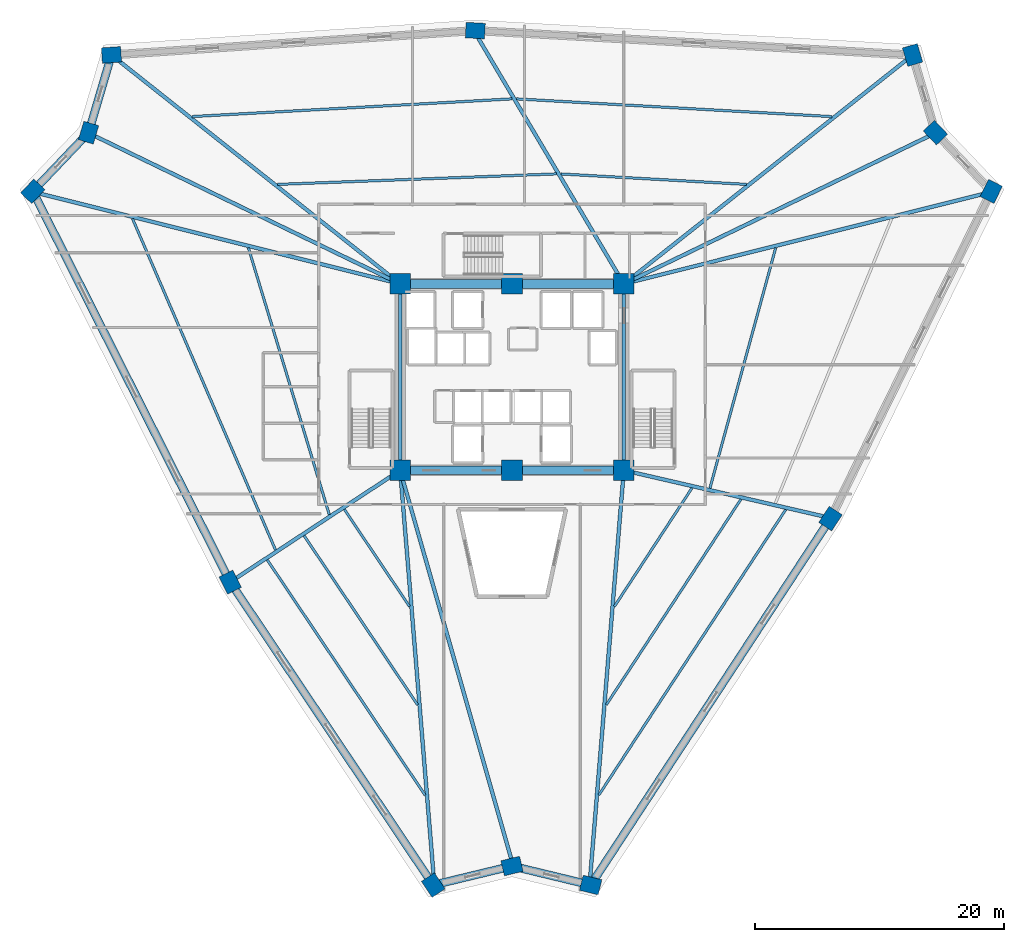
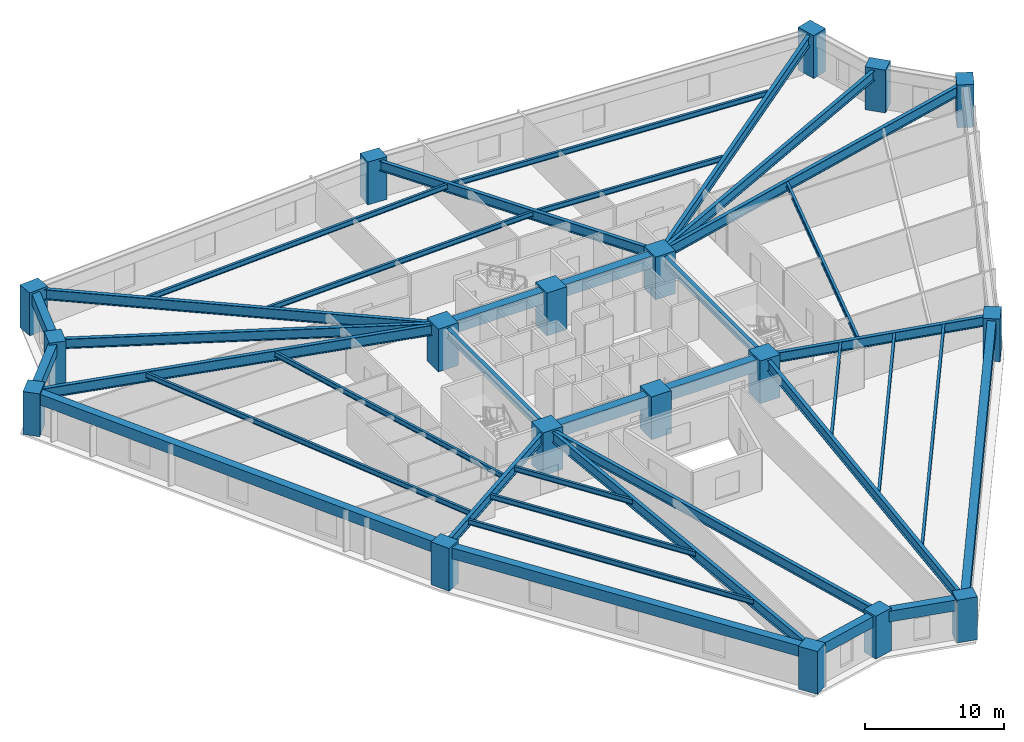
# One storey, part 1 of 9: 38 beams, 18 columns.
"""IFC4 building model written with IfcOpenShell, lengths in metres."""

import ifcopenshell
import ifcopenshell.guid

model = None  # the IFC model being written
_history = None  # IfcOwnerHistory: only IFC2X3 demands one
_inside = {}  # id of a spatial element -> (the spatial element, [elements in it])
_under = {}  # id of a project, library or spatial element -> (it, [spatial elements below it])
_declared = {}  # id of a project -> (the project, [libraries it declares])
_typed = {}  # id of a type object -> (the type object, [elements of that type])
_made_of = {}  # id of a material, layer set ... -> (it, [elements and type objects made of it])


def new_model(schema):
    """Start an empty IFC model of exactly this schema.

    Asked for "IFC4X3", IfcOpenShell would pick the latest addendum, in which some entities
    have other attributes; the version numbers below select the first issue.
    IFC2X3 requires an IfcOwnerHistory on every rooted entity: one is made here for all.
    """
    global model, _history
    if schema == "IFC4X3":
        model = ifcopenshell.file(schema_version=(4, 3, 0, 0))
    else:
        model = ifcopenshell.file(schema=schema)
    _inside.clear()
    _under.clear()
    _declared.clear()
    _typed.clear()
    _made_of.clear()
    _history = None
    if model.schema == "IFC2X3":
        org = make("IfcOrganization", Name="unknown")
        user = make(
            "IfcPersonAndOrganization",
            ThePerson=make("IfcPerson", FamilyName="unknown"),
            TheOrganization=org,
        )
        app = make(
            "IfcApplication",
            ApplicationDeveloper=org,
            Version="unknown",
            ApplicationFullName="unknown",
            ApplicationIdentifier="unknown",
        )
        _history = make(
            "IfcOwnerHistory",
            OwningUser=user,
            OwningApplication=app,
            ChangeAction="ADDED",
            CreationDate=0,
        )
    return model


def make(cls, **values):
    """One entity of the class cls with the attributes given. An attribute that is None is left unset."""
    return model.create_entity(
        cls, **{name: value for name, value in values.items() if value is not None}
    )


def rooted(cls, **values):
    """An entity with a GlobalId (a new one), such as an element, a storey or a relation."""
    return make(cls, GlobalId=ifcopenshell.guid.new(), OwnerHistory=_history, **values)


def si_unit(unit_type, name, prefix=None):
    """IfcSIUnit, for example si_unit("LENGTHUNIT", "METRE", prefix="MILLI")."""
    return make("IfcSIUnit", UnitType=unit_type, Prefix=prefix, Name=name)


def assignment(units):
    """IfcUnitAssignment: the units of a project."""
    return None if units is None else make("IfcUnitAssignment", Units=units)


def point(xyz):
    """IfcCartesianPoint."""
    return None if xyz is None else make("IfcCartesianPoint", Coordinates=xyz)


def direction(xyz):
    """IfcDirection."""
    return None if xyz is None else make("IfcDirection", DirectionRatios=xyz)


def frame(location, z_axis=None, x_axis=None):
    """IfcAxis2Placement3D, a coordinate frame: its origin and axes. An axis left out is left unset."""
    return make(
        "IfcAxis2Placement3D",
        Location=point(location),
        Axis=direction(z_axis),
        RefDirection=direction(x_axis),
    )


def frame_2d(location, x_axis=None):
    """IfcAxis2Placement2D, a coordinate frame in the plane: its origin and x axis."""
    return make(
        "IfcAxis2Placement2D", Location=point(location), RefDirection=direction(x_axis)
    )


def origin():
    """The frame at (0, 0, 0) with its axes left unset."""
    return frame((0.0, 0.0, 0.0))


def origin_2d():
    """The frame at (0, 0) in the plane with its x axis left unset."""
    return frame_2d((0.0, 0.0))


def place(relative_to, where):
    """IfcLocalPlacement: puts the frame where relative to a parent placement (None: the world)."""
    return make(
        "IfcLocalPlacement", PlacementRelTo=relative_to, RelativePlacement=where
    )


def context(
    kind, dimensions, precision=None, world=None, true_north=None, identifier=None
):
    """IfcGeometricRepresentationContext, for example the 3D "Model" context."""
    return make(
        "IfcGeometricRepresentationContext",
        ContextIdentifier=identifier,
        ContextType=kind,
        CoordinateSpaceDimension=dimensions,
        Precision=precision,
        WorldCoordinateSystem=world,
        TrueNorth=true_north,
    )


def subcontext(parent, identifier, kind, view, scale=None):
    """IfcGeometricRepresentationSubContext, for example "Body" below "Model"."""
    return make(
        "IfcGeometricRepresentationSubContext",
        ContextIdentifier=identifier,
        ContextType=kind,
        ParentContext=parent,
        TargetScale=scale,
        TargetView=view,
    )


def project(units=None, contexts=None):
    """IfcProject with its units and contexts."""
    return rooted(
        "IfcProject",
        Name="project",
        RepresentationContexts=contexts,
        UnitsInContext=assignment(units),
    )


def spatial(cls, under=None, at=None, **own):
    """A site, building, storey or space (cls), placed at a placement, below another one or the project."""
    s = rooted(cls, ObjectPlacement=at, **own)
    if under is not None:
        _under.setdefault(under.id(), (under, []))[1].append(s)
    return s


def profile(cls, at=None, kind="AREA", **sizes):
    """A parametric profile (cls). Its sizes go by their IFC names, for example OverallWidth=200.0."""
    return make(cls, ProfileType=kind, Position=at, **sizes)


def rectangle(**sizes):
    """IfcRectangleProfileDef."""
    return profile("IfcRectangleProfileDef", **sizes)


def i_section(**sizes):
    """IfcIShapeProfileDef."""
    return profile("IfcIShapeProfileDef", **sizes)


def extrude(swept, where, along, depth):
    """IfcExtrudedAreaSolid: the profile swept, set in the frame where, extruded along a direction by depth."""
    return make(
        "IfcExtrudedAreaSolid",
        SweptArea=swept,
        Position=where,
        ExtrudedDirection=direction(along),
        Depth=depth,
    )


def shape(context_of_items, identifier, shape_type, items):
    """IfcShapeRepresentation: the items that make up one representation, for example the "Body"."""
    return make(
        "IfcShapeRepresentation",
        ContextOfItems=context_of_items,
        RepresentationIdentifier=identifier,
        RepresentationType=shape_type,
        Items=items,
    )


def source(mapping_origin, context_of_items, identifier, shape_type, items):
    """IfcRepresentationMap: a shape defined once, which mapped items show again and again."""
    return make(
        "IfcRepresentationMap",
        MappingOrigin=mapping_origin,
        MappedRepresentation=shape(context_of_items, identifier, shape_type, items),
    )


def transform(
    local_origin,
    x_axis=None,
    y_axis=None,
    z_axis=None,
    scale=None,
    scale2=None,
    scale3=None,
    uniform=True,
):
    """IfcCartesianTransformationOperator3D, or its non-uniform kind. x_axis, y_axis, z_axis: its Axis1, 2, 3."""
    if uniform:
        return make(
            "IfcCartesianTransformationOperator3D",
            Axis1=direction(x_axis),
            Axis2=direction(y_axis),
            LocalOrigin=point(local_origin),
            Scale=scale,
            Axis3=direction(z_axis),
        )
    return make(
        "IfcCartesianTransformationOperator3DnonUniform",
        Axis1=direction(x_axis),
        Axis2=direction(y_axis),
        LocalOrigin=point(local_origin),
        Scale=scale,
        Axis3=direction(z_axis),
        Scale2=scale2,
        Scale3=scale3,
    )


def mapped(mapping_source, mapping_target):
    """IfcMappedItem: shows the shape of a source again, moved by a transform."""
    return make(
        "IfcMappedItem", MappingSource=mapping_source, MappingTarget=mapping_target
    )


def material(Name=None, Category=None):
    """IfcMaterial."""
    return make("IfcMaterial", Name=Name, Category=Category)


def material_profile(
    of_material, cross_section, Name=None, Category=None, Priority=None
):
    """IfcMaterialProfile: a cross section and its material."""
    return make(
        "IfcMaterialProfile",
        Name=Name,
        Material=of_material,
        Profile=cross_section,
        Priority=Priority,
        Category=Category,
    )


def profile_set(profiles, Name=None, composite=None):
    """IfcMaterialProfileSet."""
    return make(
        "IfcMaterialProfileSet",
        Name=Name,
        MaterialProfiles=profiles,
        CompositeProfile=composite,
    )


def made_of(thing, what):
    """Note that an element or type object is made of a material, layer set ...; save() writes the relation."""
    if what is not None:
        _made_of.setdefault(what.id(), (what, []))[1].append(thing)
    return thing


def type_object(cls, material=None, **own):
    """A type object (cls), such as IfcWallType, which elements share."""
    return made_of(rooted(cls, **own), material)


def element(
    cls,
    number,
    at=None,
    inside=None,
    cuts=None,
    type_object=None,
    material=None,
    context=None,
    identifier="Body",
    shape_type=None,
    held_by="IfcProductDefinitionShape",
    body=None,
    shapes=None,
    **own,
):
    """One element of the class cls, such as IfcWall. Its Tag is "e" and its number.

    at: its placement. inside: the storey or other place that contains it. cuts: it is an
    opening in that element (IfcRelVoidsElement). A single representation is given by context,
    identifier, shape_type and body (its items); several are given by shapes. held_by: the class
    of the entity that holds the representations. save() writes the other relations.
    """
    e = rooted(cls, Tag="e%d" % number, ObjectPlacement=at, **own)
    if body is not None:
        shapes = [shape(context, identifier, shape_type, body)]
    if shapes is not None:
        e.Representation = make(held_by, Representations=shapes)
    if inside is not None:
        _inside.setdefault(inside.id(), (inside, []))[1].append(e)
    if cuts is not None:
        rooted(
            "IfcRelVoidsElement", RelatingBuildingElement=cuts, RelatedOpeningElement=e
        )
    if type_object is not None:
        _typed.setdefault(type_object.id(), (type_object, []))[1].append(e)
    return made_of(e, material)


def aggregate(whole, parts):
    """IfcRelAggregates: a whole, such as a stair, and the parts it consists of."""
    return rooted("IfcRelAggregates", RelatingObject=whole, RelatedObjects=parts)


def save(model, path):
    """Write the relations noted so far, then the file.

    IfcRelAggregates (storeys below a building ...), IfcRelContainedInSpatialStructure (elements
    in a storey), IfcRelDefinesByType, IfcRelAssociatesMaterial and IfcRelDeclares: one each for
    every whole, place, type object, material and project.
    """
    for whole, parts in _under.values():
        aggregate(whole, parts)
    for where, things in _inside.values():
        rooted(
            "IfcRelContainedInSpatialStructure",
            RelatedElements=things,
            RelatingStructure=where,
        )
    for kind, things in _typed.values():
        rooted("IfcRelDefinesByType", RelatedObjects=things, RelatingType=kind)
    for what, things in _made_of.values():
        rooted("IfcRelAssociatesMaterial", RelatedObjects=things, RelatingMaterial=what)
    for by, libraries in _declared.values():
        rooted("IfcRelDeclares", RelatingContext=by, RelatedDefinitions=libraries)
    model.write(path)


model = new_model("IFC4")

# Units and contexts
model_context = context("Model", 3, precision=1e-05, world=origin(), true_north=direction((0.0, 1.0)))
body_context = subcontext(model_context, "Body", "Model", "MODEL_VIEW")
ifc_project = project(units=[si_unit("LENGTHUNIT", "METRE"), si_unit("AREAUNIT", "SQUARE_METRE"), si_unit("VOLUMEUNIT", "CUBIC_METRE"), si_unit("PLANEANGLEUNIT", "RADIAN"), si_unit("MASSUNIT", "GRAM", prefix="KILO")], contexts=[model_context])

# Site, building, storey
site_placement = place(None, origin())
site = spatial("IfcSite", under=ifc_project, at=site_placement, CompositionType="ELEMENT")
building_placement = place(site_placement, origin())
building = spatial("IfcBuilding", under=site, at=building_placement, Name="Liaohun Quay Tower", CompositionType="ELEMENT")
storey_placement = place(building_placement, frame((0.0, 0.0, 59.25)))
storey = spatial("IfcBuildingStorey", under=building, at=storey_placement, Name="L15", CompositionType="ELEMENT", Elevation=59.25)

# Columns
ifc_material_1 = material(Name="Concrete C60", Category="concrete")
ifc_material_profile_1 = material_profile(ifc_material_1, rectangle(XDim=1.64990234375, YDim=1.64990234375, at=origin_2d()), Name="RC1650x1650")
ifc_profile_set_1 = profile_set([ifc_material_profile_1], Name="Concrete C60")
column_type_1 = type_object("IfcColumnType", Name="COL-CC-Z1", PredefinedType="COLUMN", material=ifc_profile_set_1)
shared_shape_1 = source(origin(), body_context, "Body", "SweptSolid", [
    extrude(rectangle(XDim=1.64990234375, YDim=1.64990234375, at=origin_2d()), origin(), (0.0, 0.0, 1.0), 3.75),
])
for number, where, z_axis, x_axis, name in (
    (1, (51.0, 46.5, 0.0), (0.0, 0.0, 1.0), (1.0, 0.0, 0.0), "L15 Core Column CC1"),
    (2, (60.0, 46.5, 0.0), (0.0, 0.0, 1.0), (1.0, 0.0, 0.0), "L15 Core Column CC2"),
    (3, (69.0, 46.5, 0.0), (0.0, 0.0, 1.0), (1.0, 0.0, 0.0), "L15 Core Column CC3"),
    (4, (69.0, 61.5, 0.0), (0.0, 0.0, 1.0), (1.0, 0.0, 0.0), "L15 Core Column CC4"),
    (5, (60.0, 61.5, 0.0), (0.0, 0.0, 1.0), (1.0, 0.0, 0.0), "L15 Core Column CC5"),
    (6, (51.0, 61.5, 0.0), (0.0, 0.0, 1.0), (1.0, 0.0, 0.0), "L15 Core Column CC6"),
):
    element("IfcColumn", number, at=place(storey_placement, frame(where, z_axis=z_axis, x_axis=x_axis)), inside=storey, type_object=column_type_1, Name=name, PredefinedType="COLUMN", context=body_context, shape_type="MappedRepresentation", body=[
        mapped(shared_shape_1, transform((0.0, 0.0, 0.0), x_axis=(1.0, 0.0, 0.0), y_axis=(0.0, 1.0, 0.0), z_axis=(0.0, 0.0, 1.0), scale=1.0)),
    ])
ifc_material_profile_2 = material_profile(ifc_material_1, rectangle(XDim=1.550048828125, YDim=1.25, at=origin_2d()), Name="RC1550x1250")
ifc_profile_set_2 = profile_set([ifc_material_profile_2], Name="Concrete C60")
column_type_2 = type_object("IfcColumnType", Name="COL-PIER-Z1", PredefinedType="COLUMN", material=ifc_profile_set_2)
shared_shape_2 = source(origin(), body_context, "Body", "SweptSolid", [
    extrude(rectangle(XDim=1.550048828125, YDim=1.25, at=origin_2d()), origin(), (0.0, 0.0, 1.0), 3.75),
])
for number, where, z_axis, x_axis, name in (
    (7, (53.660888671875, 13.12109375, 0.0), (0.0, 0.0, 1.0), (-0.556730641675, 0.830693079675, 0.0), "L15 Perimeter Pier PC01"),
    (8, (37.323974609375, 37.4970703125, 0.0), (0.0, 0.0, 1.0), (-0.450877540689, 0.892585818452, 0.0), "L15 Perimeter Pier PC02"),
    (9, (21.43310546875, 68.955078125, 0.0), (0.0, 0.0, 1.0), (0.68936671806, 0.724412539946, 0.0), "L15 Perimeter Pier PC03"),
    (10, (25.923095703125, 73.674072265625, 0.0), (0.0, 0.0, 1.0), (0.282676303383, 0.959215360337, 0.0), "L15 Perimeter Pier PC04"),
    (11, (27.76708984375, 79.928955078125, 0.0), (0.0, 0.0, 1.0), (0.997766630584, 0.066796338919, 0.0), "L15 Perimeter Pier PC05"),
    (12, (57.0458984375, 81.888916015625, 0.0), (0.0, 0.0, 1.0), (-0.998440764182, 0.055821504993, 0.0), "L15 Perimeter Pier PC06"),
    (13, (92.235107421875, 79.923095703125, 0.0), (0.0, 0.0, 1.0), (-0.282676303383, 0.959215360337, 0.0), "L15 Perimeter Pier PC07"),
    (14, (94.076904296875, 73.674072265625, 0.0), (0.0, 0.0, 1.0), (-0.68936671806, 0.724412539946, 0.0), "L15 Perimeter Pier PC08"),
    (15, (98.572021484375, 68.949951171875, 0.0), (0.0, 0.0, 1.0), (0.441035988909, 0.897489418593, 0.0), "L15 Perimeter Pier PC09"),
    (16, (85.6298828125, 42.614013671875, 0.0), (0.0, 0.0, 1.0), (0.547563223493, 0.836764313459, 0.0), "L15 Perimeter Pier PC10"),
    (17, (66.33203125, 13.123046875, 0.0), (0.0, 0.0, 1.0), (-0.972043021443, 0.234802820391, 0.0), "L15 Perimeter Pier PC11"),
    (18, (60.0, 14.652099609375, 0.0), (0.0, 0.0, 1.0), (0.972043021443, 0.234802820391, 0.0), "L15 Perimeter Pier PC12"),
):
    element("IfcColumn", number, at=place(storey_placement, frame(where, z_axis=z_axis, x_axis=x_axis)), inside=storey, type_object=column_type_2, Name=name, PredefinedType="COLUMN", context=body_context, shape_type="MappedRepresentation", body=[
        mapped(shared_shape_2, transform((0.0, 0.0, 0.0), x_axis=(1.0, 0.0, 0.0), y_axis=(0.0, 1.0, 0.0), z_axis=(0.0, 0.0, 1.0), scale=1.0)),
    ])

# Beams
ifc_material_profile_3 = material_profile(ifc_material_1, rectangle(XDim=0.699951171875, YDim=1.050048828125, at=origin_2d()), Name="RC700x1050")
ifc_profile_set_3 = profile_set([ifc_material_profile_3], Name="Concrete C60")
beam_type_1 = type_object("IfcBeamType", Name="BM-CPL-1", PredefinedType="LINTEL", material=ifc_profile_set_3)
shared_shape_3 = source(origin(), body_context, "Body", "SweptSolid", [
    extrude(rectangle(XDim=0.699951171875, YDim=1.050048828125, at=origin_2d()), origin(), (0.0, 0.0, 1.0), 9.0),
])
for number, where, z_axis, x_axis, name in (
    (19, (51.0, 46.5, 3.044921875), (1.0, 0.0, 0.0), (0.0, 1.0, 0.0), "L15 Core Coupling/Ring Beam CC1-CC2"),
    (20, (60.0, 46.5, 3.044921875), (1.0, 0.0, 0.0), (0.0, 1.0, 0.0), "L15 Core Coupling/Ring Beam CC2-CC3"),
    (21, (69.0, 61.5, 3.044921875), (-1.0, 0.0, 0.0), (0.0, -1.0, 0.0), "L15 Core Coupling/Ring Beam CC4-CC5"),
    (22, (60.0, 61.5, 3.044921875), (-1.0, 0.0, 0.0), (0.0, -1.0, 0.0), "L15 Core Coupling/Ring Beam CC5-CC6"),
):
    element("IfcBeam", number, at=place(storey_placement, frame(where, z_axis=z_axis, x_axis=x_axis)), inside=storey, type_object=beam_type_1, Name=name, PredefinedType="LINTEL", context=body_context, shape_type="MappedRepresentation", body=[
        mapped(shared_shape_3, transform((0.0, 0.0, 0.0), x_axis=(1.0, 0.0, 0.0), y_axis=(0.0, 1.0, 0.0), z_axis=(0.0, 0.0, 1.0), scale=1.0)),
    ])
ifc_material_2 = material(Name="Steel Q355D", Category="steel")
ifc_material_profile_4 = material_profile(ifc_material_2, i_section(OverallWidth=0.300048828125, OverallDepth=0.800048828125, WebThickness=0.013916015625, FlangeThickness=0.02587890625, at=origin_2d()), Name="HN800x300x14x26")
ifc_profile_set_4 = profile_set([ifc_material_profile_4], Name="Steel Q355D")
beam_type_2 = type_object("IfcBeamType", Name="BM-RAD-M1", PredefinedType="BEAM", material=ifc_profile_set_4)
shared_shape_4 = source(origin(), body_context, "Body", "SweptSolid", [
    extrude(i_section(OverallWidth=0.300048828125, OverallDepth=0.800048828125, WebThickness=0.013916015625, FlangeThickness=0.02587890625, at=origin_2d()), origin(), (0.0, 0.0, 1.0), 15.0),
])
for number, where, z_axis, x_axis, name in (
    (23, (69.0, 46.5, 3.169921875), (0.0, 1.0, 0.0), (-1.0, 0.0, 0.0), "L15 Core Coupling/Ring Beam CC3-CC4"),
    (24, (51.0, 61.5, 3.169921875), (0.0, -1.0, 0.0), (1.0, 0.0, 0.0), "L15 Core Coupling/Ring Beam CC6-CC1"),
):
    element("IfcBeam", number, at=place(storey_placement, frame(where, z_axis=z_axis, x_axis=x_axis)), inside=storey, type_object=beam_type_2, Name=name, PredefinedType="BEAM", context=body_context, shape_type="MappedRepresentation", body=[
        mapped(shared_shape_4, transform((0.0, 0.0, 0.0), x_axis=(1.0, 0.0, 0.0), y_axis=(0.0, 1.0, 0.0), z_axis=(0.0, 0.0, 1.0), scale=1.0)),
    ])
ifc_material_3 = material(Name="Precast concrete C55", Category="concrete")
ifc_material_profile_5 = material_profile(ifc_material_3, rectangle(XDim=0.64990234375, YDim=0.949951171875, at=origin_2d()), Name="RC650x950")
ifc_profile_set_5 = profile_set([ifc_material_profile_5], Name="Precast concrete C55")
beam_type_3 = type_object("IfcBeamType", Name="BM-SPD-Z1", PredefinedType="SPANDREL", material=ifc_profile_set_5)
shared_shape_5 = source(origin(), body_context, "Body", "SweptSolid", [
    extrude(rectangle(XDim=0.64990234375, YDim=0.949951171875, at=origin_2d()), origin(), (0.0, 0.0, 1.0), 29.34423828125),
])
beam_1_placement = place(storey_placement, frame((53.660888671875, 13.12109375, 3.094970703125), z_axis=(-0.556733709808, 0.830691023404, 0.0), x_axis=(-0.830691023404, -0.556733709808, 0.0)))
element("IfcBeam", 25, at=beam_1_placement, inside=storey, type_object=beam_type_3, Name="L15 Precast Spandrel Beam PC01-PC02", PredefinedType="SPANDREL", context=body_context, shape_type="MappedRepresentation", body=[
    mapped(shared_shape_5, transform((0.0, 0.0, 0.0), x_axis=(1.0, 0.0, 0.0), y_axis=(0.0, 1.0, 0.0), z_axis=(0.0, 0.0, 1.0), scale=1.0)),
])
shared_shape_6 = source(origin(), body_context, "Body", "SweptSolid", [
    extrude(rectangle(XDim=0.64990234375, YDim=0.949951171875, at=origin_2d()), origin(), (0.0, 0.0, 1.0), 35.243896484375),
])
for number, where, z_axis, x_axis, name in (
    (26, (37.323974609375, 37.4970703125, 3.094970703125), (-0.450884004902, 0.892582553114, 0.0), (-0.892582553114, -0.450884004902, 0.0), "L15 Precast Spandrel Beam PC02-PC03"),
    (27, (85.6298828125, 42.614013671875, 3.094970703125), (-0.547553362631, -0.836770766143, 0.0), (0.836770766143, -0.547553362631, 0.0), "L15 Precast Spandrel Beam PC10-PC11"),
):
    element("IfcBeam", number, at=place(storey_placement, frame(where, z_axis=z_axis, x_axis=x_axis)), inside=storey, type_object=beam_type_3, Name=name, PredefinedType="SPANDREL", context=body_context, shape_type="MappedRepresentation", body=[
        mapped(shared_shape_6, transform((0.0, 0.0, 0.0), x_axis=(1.0, 0.0, 0.0), y_axis=(0.0, 1.0, 0.0), z_axis=(0.0, 0.0, 1.0), scale=1.0)),
    ])
shared_shape_7 = source(origin(), body_context, "Body", "SweptSolid", [
    extrude(rectangle(XDim=0.64990234375, YDim=0.949951171875, at=origin_2d()), origin(), (0.0, 0.0, 1.0), 6.513671875),
])
beam_2_placement = place(storey_placement, frame((21.43310546875, 68.955078125, 3.094970703125), z_axis=(0.689309744559, 0.724466752899, 0.0), x_axis=(-0.724466752899, 0.689309744559, 0.0)))
element("IfcBeam", 28, at=beam_2_placement, inside=storey, type_object=beam_type_3, Name="L15 Precast Spandrel Beam PC03-PC04", PredefinedType="SPANDREL", context=body_context, shape_type="MappedRepresentation", body=[
    mapped(shared_shape_7, transform((0.0, 0.0, 0.0), x_axis=(1.0, 0.0, 0.0), y_axis=(0.0, 1.0, 0.0), z_axis=(0.0, 0.0, 1.0), scale=1.0)),
])
shared_shape_8 = source(origin(), body_context, "Body", "SweptSolid", [
    extrude(rectangle(XDim=0.64990234375, YDim=0.949951171875, at=origin_2d()), origin(), (0.0, 0.0, 1.0), 6.52099609375),
])
beam_3_placement = place(storey_placement, frame((25.923095703125, 73.674072265625, 3.094970703125), z_axis=(0.282776378716, 0.959185862928, 0.0), x_axis=(-0.959185862928, 0.282776378716, 0.0)))
element("IfcBeam", 29, at=beam_3_placement, inside=storey, type_object=beam_type_3, Name="L15 Precast Spandrel Beam PC04-PC05", PredefinedType="SPANDREL", context=body_context, shape_type="MappedRepresentation", body=[
    mapped(shared_shape_8, transform((0.0, 0.0, 0.0), x_axis=(1.0, 0.0, 0.0), y_axis=(0.0, 1.0, 0.0), z_axis=(0.0, 0.0, 1.0), scale=1.0)),
])
shared_shape_9 = source(origin(), body_context, "Body", "SweptSolid", [
    extrude(rectangle(XDim=0.64990234375, YDim=0.949951171875, at=origin_2d()), origin(), (0.0, 0.0, 1.0), 6.513916015625),
])
beam_4_placement = place(storey_placement, frame((66.33203125, 13.123046875, 3.094970703125), z_axis=(-0.972060095751, 0.234732124448, 0.0), x_axis=(-0.234732124448, -0.972060095751, 0.0)))
element("IfcBeam", 30, at=beam_4_placement, inside=storey, type_object=beam_type_3, Name="L15 Precast Spandrel Beam PC11-PC12", PredefinedType="SPANDREL", context=body_context, shape_type="MappedRepresentation", body=[
    mapped(shared_shape_9, transform((0.0, 0.0, 0.0), x_axis=(1.0, 0.0, 0.0), y_axis=(0.0, 1.0, 0.0), z_axis=(0.0, 0.0, 1.0), scale=1.0)),
])
shared_shape_10 = source(origin(), body_context, "Body", "SweptSolid", [
    extrude(rectangle(XDim=0.64990234375, YDim=0.949951171875, at=origin_2d()), origin(), (0.0, 0.0, 1.0), 6.521484375),
])
beam_5_placement = place(storey_placement, frame((60.0, 14.652099609375, 3.094970703125), z_axis=(-0.972051577674, -0.234767396249, 0.0), x_axis=(0.234767396249, -0.972051577674, 0.0)))
element("IfcBeam", 31, at=beam_5_placement, inside=storey, type_object=beam_type_3, Name="L15 Precast Spandrel Beam PC12-PC01", PredefinedType="SPANDREL", context=body_context, shape_type="MappedRepresentation", body=[
    mapped(shared_shape_10, transform((0.0, 0.0, 0.0), x_axis=(1.0, 0.0, 0.0), y_axis=(0.0, 1.0, 0.0), z_axis=(0.0, 0.0, 1.0), scale=1.0)),
])
ifc_material_4 = material(Name="Steel Q420D", Category="steel")
ifc_material_profile_6 = material_profile(ifc_material_4, i_section(OverallWidth=0.300048828125, OverallDepth=0.89990234375, WebThickness=0.01611328125, FlangeThickness=0.028076171875, at=origin_2d()), Name="HN900x300x16x28")
ifc_profile_set_6 = profile_set([ifc_material_profile_6], Name="Steel Q420D")
beam_type_4 = type_object("IfcBeamType", Name="BM-RAD-H1", PredefinedType="BEAM", material=ifc_profile_set_6)
shared_shape_11 = source(origin(), body_context, "Body", "SweptSolid", [
    extrude(i_section(OverallWidth=0.300048828125, OverallDepth=0.89990234375, WebThickness=0.01611328125, FlangeThickness=0.028076171875, at=origin_2d()), origin(), (0.0, 0.0, 1.0), 33.108154296875),
])
beam_6_placement = place(storey_placement, frame((51.0, 46.5, 3.1201171875), z_axis=(0.082213050139, -0.996614777327, 0.0), x_axis=(0.996614777327, 0.082213050139, 0.0)))
element("IfcBeam", 32, at=beam_6_placement, inside=storey, type_object=beam_type_4, Name="L15 Radial Primary Girder CC1-PC01", PredefinedType="BEAM", context=body_context, shape_type="MappedRepresentation", body=[
    mapped(shared_shape_11, transform((0.0, 0.0, 0.0), x_axis=(1.0, 0.0, 0.0), y_axis=(0.0, 1.0, 0.0), z_axis=(0.0, 0.0, 1.0), scale=1.0)),
])
ifc_material_profile_7 = material_profile(ifc_material_2, i_section(OverallWidth=0.300048828125, OverallDepth=0.85009765625, WebThickness=0.01611328125, FlangeThickness=0.028076171875, at=origin_2d()), Name="HN850x300x16x28")
ifc_profile_set_7 = profile_set([ifc_material_profile_7], Name="Steel Q355D")
beam_type_5 = type_object("IfcBeamType", Name="BM-RAD-H2", PredefinedType="BEAM", material=ifc_profile_set_7)
shared_shape_12 = source(origin(), body_context, "Body", "SweptSolid", [
    extrude(i_section(OverallWidth=0.300048828125, OverallDepth=0.85009765625, WebThickness=0.01611328125, FlangeThickness=0.028076171875, at=origin_2d()), origin(), (0.0, 0.0, 1.0), 16.122314453125),
])
beam_7_placement = place(storey_placement, frame((51.0, 46.5, 3.14501953125), z_axis=(-0.835666756769, -0.549236808336, 0.0), x_axis=(0.549236808336, -0.835666756769, 0.0)))
element("IfcBeam", 33, at=beam_7_placement, inside=storey, type_object=beam_type_5, Name="L15 Radial Primary Girder CC1-PC02", PredefinedType="BEAM", context=body_context, shape_type="MappedRepresentation", body=[
    mapped(shared_shape_12, transform((0.0, 0.0, 0.0), x_axis=(1.0, 0.0, 0.0), y_axis=(0.0, 1.0, 0.0), z_axis=(0.0, 0.0, 1.0), scale=1.0)),
])
shared_shape_13 = source(origin(), body_context, "Body", "SweptSolid", [
    extrude(i_section(OverallWidth=0.300048828125, OverallDepth=0.89990234375, WebThickness=0.01611328125, FlangeThickness=0.028076171875, at=origin_2d()), origin(), (0.0, 0.0, 1.0), 30.1064453125),
])
beam_8_placement = place(storey_placement, frame((51.0, 61.5, 3.1201171875), z_axis=(-0.970025997145, 0.243001162268, 0.0), x_axis=(-0.243001162268, -0.970025997145, 0.0)))
element("IfcBeam", 34, at=beam_8_placement, inside=storey, type_object=beam_type_4, Name="L15 Radial Primary Girder CC6-PC03", PredefinedType="BEAM", context=body_context, shape_type="MappedRepresentation", body=[
    mapped(shared_shape_13, transform((0.0, 0.0, 0.0), x_axis=(1.0, 0.0, 0.0), y_axis=(0.0, 1.0, 0.0), z_axis=(0.0, 0.0, 1.0), scale=1.0)),
])
shared_shape_14 = source(origin(), body_context, "Body", "SweptSolid", [
    extrude(i_section(OverallWidth=0.300048828125, OverallDepth=0.85009765625, WebThickness=0.01611328125, FlangeThickness=0.028076171875, at=origin_2d()), origin(), (0.0, 0.0, 1.0), 27.508544921875),
])
for number, where, z_axis, x_axis, name in (
    (35, (51.0, 61.5, 3.14501953125), (-0.900012604526, 0.435863868305, 0.0), (-0.435863868305, -0.900012604526, 0.0), "L15 Radial Primary Girder CC6-PC04"),
    (36, (69.0, 61.5, 3.14501953125), (0.900012604526, 0.435863868305, 0.0), (-0.435863868305, 0.900012604526, 0.0), "L15 Radial Primary Girder CC4-PC08"),
):
    element("IfcBeam", number, at=place(storey_placement, frame(where, z_axis=z_axis, x_axis=x_axis)), inside=storey, type_object=beam_type_5, Name=name, PredefinedType="BEAM", context=body_context, shape_type="MappedRepresentation", body=[
        mapped(shared_shape_14, transform((0.0, 0.0, 0.0), x_axis=(1.0, 0.0, 0.0), y_axis=(0.0, 1.0, 0.0), z_axis=(0.0, 0.0, 1.0), scale=1.0)),
    ])
shared_shape_15 = source(origin(), body_context, "Body", "SweptSolid", [
    extrude(i_section(OverallWidth=0.300048828125, OverallDepth=0.89990234375, WebThickness=0.01611328125, FlangeThickness=0.028076171875, at=origin_2d()), origin(), (0.0, 0.0, 1.0), 29.26708984375),
])
beam_9_placement = place(storey_placement, frame((51.0, 61.5, 3.1201171875), z_axis=(-0.783535909792, 0.621346504027, 0.0), x_axis=(-0.621346504027, -0.783535909792, 0.0)))
element("IfcBeam", 37, at=beam_9_placement, inside=storey, type_object=beam_type_4, Name="L15 Radial Primary Girder CC6-PC05", PredefinedType="BEAM", context=body_context, shape_type="MappedRepresentation", body=[
    mapped(shared_shape_15, transform((0.0, 0.0, 0.0), x_axis=(1.0, 0.0, 0.0), y_axis=(0.0, 1.0, 0.0), z_axis=(0.0, 0.0, 1.0), scale=1.0)),
])
shared_shape_16 = source(origin(), body_context, "Body", "SweptSolid", [
    extrude(i_section(OverallWidth=0.300048828125, OverallDepth=0.85009765625, WebThickness=0.01611328125, FlangeThickness=0.028076171875, at=origin_2d()), origin(), (0.0, 0.0, 1.0), 23.406494140625),
])
beam_10_placement = place(storey_placement, frame((69.0, 61.5, 3.14501953125), z_axis=(-0.509557344745, 0.860436698669, 0.0), x_axis=(-0.860436698669, -0.509557344745, 0.0)))
element("IfcBeam", 38, at=beam_10_placement, inside=storey, type_object=beam_type_5, Name="L15 Radial Primary Girder CC4-PC06", PredefinedType="BEAM", context=body_context, shape_type="MappedRepresentation", body=[
    mapped(shared_shape_16, transform((0.0, 0.0, 0.0), x_axis=(1.0, 0.0, 0.0), y_axis=(0.0, 1.0, 0.0), z_axis=(0.0, 0.0, 1.0), scale=1.0)),
])
shared_shape_17 = source(origin(), body_context, "Body", "SweptSolid", [
    extrude(i_section(OverallWidth=0.300048828125, OverallDepth=0.89990234375, WebThickness=0.01611328125, FlangeThickness=0.028076171875, at=origin_2d()), origin(), (0.0, 0.0, 1.0), 29.264404296875),
])
beam_11_placement = place(storey_placement, frame((69.0, 61.5, 3.1201171875), z_axis=(0.783682660244, 0.621161402561, 0.0), x_axis=(-0.621161402561, 0.783682660244, 0.0)))
element("IfcBeam", 39, at=beam_11_placement, inside=storey, type_object=beam_type_4, Name="L15 Radial Primary Girder CC4-PC07", PredefinedType="BEAM", context=body_context, shape_type="MappedRepresentation", body=[
    mapped(shared_shape_17, transform((0.0, 0.0, 0.0), x_axis=(1.0, 0.0, 0.0), y_axis=(0.0, 1.0, 0.0), z_axis=(0.0, 0.0, 1.0), scale=1.0)),
])
shared_shape_18 = source(origin(), body_context, "Body", "SweptSolid", [
    extrude(i_section(OverallWidth=0.300048828125, OverallDepth=0.89990234375, WebThickness=0.01611328125, FlangeThickness=0.028076171875, at=origin_2d()), origin(), (0.0, 0.0, 1.0), 30.110107421875),
])
beam_12_placement = place(storey_placement, frame((69.0, 61.5, 3.1201171875), z_axis=(0.970073779405, 0.242810342678, 0.0), x_axis=(-0.242810342678, 0.970073779405, 0.0)))
element("IfcBeam", 40, at=beam_12_placement, inside=storey, type_object=beam_type_4, Name="L15 Radial Primary Girder CC4-PC09", PredefinedType="BEAM", context=body_context, shape_type="MappedRepresentation", body=[
    mapped(shared_shape_18, transform((0.0, 0.0, 0.0), x_axis=(1.0, 0.0, 0.0), y_axis=(0.0, 1.0, 0.0), z_axis=(0.0, 0.0, 1.0), scale=1.0)),
])
shared_shape_19 = source(origin(), body_context, "Body", "SweptSolid", [
    extrude(i_section(OverallWidth=0.300048828125, OverallDepth=0.85009765625, WebThickness=0.01611328125, FlangeThickness=0.028076171875, at=origin_2d()), origin(), (0.0, 0.0, 1.0), 16.831787109375),
])
beam_13_placement = place(storey_placement, frame((69.0, 46.5, 3.14501953125), z_axis=(0.974402684171, -0.224809717496, 0.0), x_axis=(0.224809717496, 0.974402684171, 0.0)))
element("IfcBeam", 41, at=beam_13_placement, inside=storey, type_object=beam_type_5, Name="L15 Radial Primary Girder CC3-PC10", PredefinedType="BEAM", context=body_context, shape_type="MappedRepresentation", body=[
    mapped(shared_shape_19, transform((0.0, 0.0, 0.0), x_axis=(1.0, 0.0, 0.0), y_axis=(0.0, 1.0, 0.0), z_axis=(0.0, 0.0, 1.0), scale=1.0)),
])
shared_shape_20 = source(origin(), body_context, "Body", "SweptSolid", [
    extrude(i_section(OverallWidth=0.300048828125, OverallDepth=0.89990234375, WebThickness=0.01611328125, FlangeThickness=0.028076171875, at=origin_2d()), origin(), (0.0, 0.0, 1.0), 33.1064453125),
])
beam_14_placement = place(storey_placement, frame((69.0, 46.5, 3.1201171875), z_axis=(-0.082430897907, -0.996596782591, 0.0), x_axis=(0.996596782591, -0.082430897907, 0.0)))
element("IfcBeam", 42, at=beam_14_placement, inside=storey, type_object=beam_type_4, Name="L15 Radial Primary Girder CC3-PC11", PredefinedType="BEAM", context=body_context, shape_type="MappedRepresentation", body=[
    mapped(shared_shape_20, transform((0.0, 0.0, 0.0), x_axis=(1.0, 0.0, 0.0), y_axis=(0.0, 1.0, 0.0), z_axis=(0.0, 0.0, 1.0), scale=1.0)),
])
shared_shape_21 = source(origin(), body_context, "Body", "SweptSolid", [
    extrude(i_section(OverallWidth=0.300048828125, OverallDepth=0.85009765625, WebThickness=0.01611328125, FlangeThickness=0.028076171875, at=origin_2d()), origin(), (0.0, 0.0, 1.0), 32.7412109375),
])
beam_15_placement = place(storey_placement, frame((51.0, 46.5, 3.14501953125), z_axis=(0.274882638281, -0.961477787144, 0.0), x_axis=(0.961477787144, 0.274882638281, 0.0)))
element("IfcBeam", 43, at=beam_15_placement, inside=storey, type_object=beam_type_5, Name="L15 Radial Primary Girder CC1-PC12", PredefinedType="BEAM", context=body_context, shape_type="MappedRepresentation", body=[
    mapped(shared_shape_21, transform((0.0, 0.0, 0.0), x_axis=(1.0, 0.0, 0.0), y_axis=(0.0, 1.0, 0.0), z_axis=(0.0, 0.0, 1.0), scale=1.0)),
])
ifc_material_profile_8 = material_profile(ifc_material_2, i_section(OverallWidth=0.199951171875, OverallDepth=0.449951171875, WebThickness=0.009033203125, FlangeThickness=0.013916015625, at=origin_2d()), Name="HN450x200x9x14")
ifc_profile_set_8 = profile_set([ifc_material_profile_8], Name="Steel Q355D")
beam_type_6 = type_object("IfcBeamType", Name="BM-SEC-J1", PredefinedType="JOIST", material=ifc_profile_set_8)
shared_shape_22 = source(origin(), body_context, "Body", "SweptSolid", [
    extrude(i_section(OverallWidth=0.199951171875, OverallDepth=0.449951171875, WebThickness=0.009033203125, FlangeThickness=0.013916015625, at=origin_2d()), origin(), (0.0, 0.0, 1.0), 9.426025390625),
])
beam_16_placement = place(storey_placement, frame((51.75390625, 35.537109375, 3.344970703125), z_axis=(-0.557076828269, 0.830460960796, 0.0), x_axis=(-0.830460960796, -0.557076828269, 0.0)))
element("IfcBeam", 44, at=beam_16_placement, inside=storey, type_object=beam_type_6, Name="L15 Wing Secondary Floor Joist SJ-01", PredefinedType="JOIST", context=body_context, shape_type="MappedRepresentation", body=[
    mapped(shared_shape_22, transform((0.0, 0.0, 0.0), x_axis=(1.0, 0.0, 0.0), y_axis=(0.0, 1.0, 0.0), z_axis=(0.0, 0.0, 1.0), scale=1.0)),
])
shared_shape_23 = source(origin(), body_context, "Body", "SweptSolid", [
    extrude(i_section(OverallWidth=0.199951171875, OverallDepth=0.449951171875, WebThickness=0.009033203125, FlangeThickness=0.013916015625, at=origin_2d()), origin(), (0.0, 0.0, 1.0), 16.403076171875),
])
beam_17_placement = place(storey_placement, frame((52.406982421875, 27.617919921875, 3.344970703125), z_axis=(-0.557085042858, 0.830455450355, 0.0), x_axis=(-0.830455450355, -0.557085042858, 0.0)))
element("IfcBeam", 45, at=beam_17_placement, inside=storey, type_object=beam_type_6, Name="L15 Wing Secondary Floor Joist SJ-02", PredefinedType="JOIST", context=body_context, shape_type="MappedRepresentation", body=[
    mapped(shared_shape_23, transform((0.0, 0.0, 0.0), x_axis=(1.0, 0.0, 0.0), y_axis=(0.0, 1.0, 0.0), z_axis=(0.0, 0.0, 1.0), scale=1.0)),
])
shared_shape_24 = source(origin(), body_context, "Body", "SweptSolid", [
    extrude(i_section(OverallWidth=0.199951171875, OverallDepth=0.449951171875, WebThickness=0.009033203125, FlangeThickness=0.013916015625, at=origin_2d()), origin(), (0.0, 0.0, 1.0), 22.7978515625),
])
beam_18_placement = place(storey_placement, frame((53.006103515625, 20.35888671875, 3.344970703125), z_axis=(-0.557119704894, 0.830432197364, 0.0), x_axis=(-0.830432197364, -0.557119704894, 0.0)))
element("IfcBeam", 46, at=beam_18_placement, inside=storey, type_object=beam_type_6, Name="L15 Wing Secondary Floor Joist SJ-03", PredefinedType="JOIST", context=body_context, shape_type="MappedRepresentation", body=[
    mapped(shared_shape_24, transform((0.0, 0.0, 0.0), x_axis=(1.0, 0.0, 0.0), y_axis=(0.0, 1.0, 0.0), z_axis=(0.0, 0.0, 1.0), scale=1.0)),
])
shared_shape_25 = source(origin(), body_context, "Body", "SweptSolid", [
    extrude(i_section(OverallWidth=0.199951171875, OverallDepth=0.449951171875, WebThickness=0.009033203125, FlangeThickness=0.013916015625, at=origin_2d()), origin(), (0.0, 0.0, 1.0), 22.439453125),
])
beam_19_placement = place(storey_placement, frame((45.2958984375, 42.930908203125, 3.344970703125), z_axis=(-0.290157469186, 0.956978914645, 0.0), x_axis=(-0.956978914645, -0.290157469186, 0.0)))
element("IfcBeam", 47, at=beam_19_placement, inside=storey, type_object=beam_type_6, Name="L15 Wing Secondary Floor Joist SJ-04", PredefinedType="JOIST", context=body_context, shape_type="MappedRepresentation", body=[
    mapped(shared_shape_25, transform((0.0, 0.0, 0.0), x_axis=(1.0, 0.0, 0.0), y_axis=(0.0, 1.0, 0.0), z_axis=(0.0, 0.0, 1.0), scale=1.0)),
])
shared_shape_26 = source(origin(), body_context, "Body", "SweptSolid", [
    extrude(i_section(OverallWidth=0.199951171875, OverallDepth=0.449951171875, WebThickness=0.009033203125, FlangeThickness=0.013916015625, at=origin_2d()), origin(), (0.0, 0.0, 1.0), 29.030517578125),
])
beam_20_placement = place(storey_placement, frame((40.969970703125, 40.0869140625, 3.344970703125), z_axis=(-0.396336619549, 0.918105268477, 0.0), x_axis=(-0.918105268477, -0.396336619549, 0.0)))
element("IfcBeam", 48, at=beam_20_placement, inside=storey, type_object=beam_type_6, Name="L15 Wing Secondary Floor Joist SJ-05", PredefinedType="JOIST", context=body_context, shape_type="MappedRepresentation", body=[
    mapped(shared_shape_26, transform((0.0, 0.0, 0.0), x_axis=(1.0, 0.0, 0.0), y_axis=(0.0, 1.0, 0.0), z_axis=(0.0, 0.0, 1.0), scale=1.0)),
])
shared_shape_27 = source(origin(), body_context, "Body", "SweptSolid", [
    extrude(i_section(OverallWidth=0.199951171875, OverallDepth=0.449951171875, WebThickness=0.009033203125, FlangeThickness=0.013916015625, at=origin_2d()), origin(), (0.0, 0.0, 1.0), 22.4580078125),
])
beam_21_placement = place(storey_placement, frame((41.139892578125, 69.510009765625, 3.344970703125), z_axis=(0.999291950891, 0.03762441872, 0.0), x_axis=(-0.03762441872, 0.999291950891, 0.0)))
element("IfcBeam", 49, at=beam_21_placement, inside=storey, type_object=beam_type_6, Name="L15 Wing Secondary Floor Joist SJ-06", PredefinedType="JOIST", context=body_context, shape_type="MappedRepresentation", body=[
    mapped(shared_shape_27, transform((0.0, 0.0, 0.0), x_axis=(1.0, 0.0, 0.0), y_axis=(0.0, 1.0, 0.0), z_axis=(0.0, 0.0, 1.0), scale=1.0)),
])
shared_shape_28 = source(origin(), body_context, "Body", "SweptSolid", [
    extrude(i_section(OverallWidth=0.199951171875, OverallDepth=0.449951171875, WebThickness=0.009033203125, FlangeThickness=0.013916015625, at=origin_2d()), origin(), (0.0, 0.0, 1.0), 25.7880859375),
])
beam_22_placement = place(storey_placement, frame((34.256103515625, 74.968994140625, 3.344970703125), z_axis=(0.998472012075, 0.055259760252, 0.0), x_axis=(-0.055259760252, 0.998472012075, 0.0)))
element("IfcBeam", 50, at=beam_22_placement, inside=storey, type_object=beam_type_6, Name="L15 Wing Secondary Floor Joist SJ-07", PredefinedType="JOIST", context=body_context, shape_type="MappedRepresentation", body=[
    mapped(shared_shape_28, transform((0.0, 0.0, 0.0), x_axis=(1.0, 0.0, 0.0), y_axis=(0.0, 1.0, 0.0), z_axis=(0.0, 0.0, 1.0), scale=1.0)),
])
shared_shape_29 = source(origin(), body_context, "Body", "SweptSolid", [
    extrude(i_section(OverallWidth=0.199951171875, OverallDepth=0.449951171875, WebThickness=0.009033203125, FlangeThickness=0.013916015625, at=origin_2d()), origin(), (0.0, 0.0, 1.0), 14.956787109375),
])
beam_23_placement = place(storey_placement, frame((63.931884765625, 70.35107421875, 3.344970703125), z_axis=(0.998421335537, -0.05616793342, 0.0), x_axis=(0.05616793342, 0.998421335537, 0.0)))
element("IfcBeam", 51, at=beam_23_placement, inside=storey, type_object=beam_type_6, Name="L15 Wing Secondary Floor Joist SJ-08", PredefinedType="JOIST", context=body_context, shape_type="MappedRepresentation", body=[
    mapped(shared_shape_29, transform((0.0, 0.0, 0.0), x_axis=(1.0, 0.0, 0.0), y_axis=(0.0, 1.0, 0.0), z_axis=(0.0, 0.0, 1.0), scale=1.0)),
])
shared_shape_30 = source(origin(), body_context, "Body", "SweptSolid", [
    extrude(i_section(OverallWidth=0.199951171875, OverallDepth=0.449951171875, WebThickness=0.009033203125, FlangeThickness=0.013916015625, at=origin_2d()), origin(), (0.0, 0.0, 1.0), 25.432373046875),
])
beam_24_placement = place(storey_placement, frame((60.35400390625, 76.39306640625, 3.344970703125), z_axis=(0.998420279626, -0.056186699774, 0.0), x_axis=(0.056186699774, 0.998420279626, 0.0)))
element("IfcBeam", 52, at=beam_24_placement, inside=storey, type_object=beam_type_6, Name="L15 Wing Secondary Floor Joist SJ-09", PredefinedType="JOIST", context=body_context, shape_type="MappedRepresentation", body=[
    mapped(shared_shape_30, transform((0.0, 0.0, 0.0), x_axis=(1.0, 0.0, 0.0), y_axis=(0.0, 1.0, 0.0), z_axis=(0.0, 0.0, 1.0), scale=1.0)),
])
shared_shape_31 = source(origin(), body_context, "Body", "SweptSolid", [
    extrude(i_section(OverallWidth=0.199951171875, OverallDepth=0.449951171875, WebThickness=0.009033203125, FlangeThickness=0.013916015625, at=origin_2d()), origin(), (0.0, 0.0, 1.0), 20.060302734375),
])
beam_25_placement = place(storey_placement, frame((81.221923828125, 64.405029296875, 3.344970703125), z_axis=(-0.263902025944, -0.964549491059, 0.0), x_axis=(0.964549491059, -0.263902025944, 0.0)))
element("IfcBeam", 53, at=beam_25_placement, inside=storey, type_object=beam_type_6, Name="L15 Wing Secondary Floor Joist SJ-10", PredefinedType="JOIST", context=body_context, shape_type="MappedRepresentation", body=[
    mapped(shared_shape_31, transform((0.0, 0.0, 0.0), x_axis=(1.0, 0.0, 0.0), y_axis=(0.0, 1.0, 0.0), z_axis=(0.0, 0.0, 1.0), scale=1.0)),
])
shared_shape_32 = source(origin(), body_context, "Body", "SweptSolid", [
    extrude(i_section(OverallWidth=0.199951171875, OverallDepth=0.449951171875, WebThickness=0.009033203125, FlangeThickness=0.013916015625, at=origin_2d()), origin(), (0.0, 0.0, 1.0), 11.398193359375),
])
beam_26_placement = place(storey_placement, frame((74.489013671875, 45.080078125, 3.344970703125), z_axis=(-0.547900160039, -0.83654373145, 0.0), x_axis=(0.83654373145, -0.547900160039, 0.0)))
element("IfcBeam", 54, at=beam_26_placement, inside=storey, type_object=beam_type_6, Name="L15 Wing Secondary Floor Joist SJ-12", PredefinedType="JOIST", context=body_context, shape_type="MappedRepresentation", body=[
    mapped(shared_shape_32, transform((0.0, 0.0, 0.0), x_axis=(1.0, 0.0, 0.0), y_axis=(0.0, 1.0, 0.0), z_axis=(0.0, 0.0, 1.0), scale=1.0)),
])
shared_shape_33 = source(origin(), body_context, "Body", "SweptSolid", [
    extrude(i_section(OverallWidth=0.199951171875, OverallDepth=0.449951171875, WebThickness=0.009033203125, FlangeThickness=0.013916015625, at=origin_2d()), origin(), (0.0, 0.0, 1.0), 19.77783203125),
])
beam_27_placement = place(storey_placement, frame((78.425048828125, 44.172119140625, 3.344970703125), z_axis=(-0.547884784168, -0.836553801782, 0.0), x_axis=(0.836553801782, -0.547884784168, 0.0)))
element("IfcBeam", 55, at=beam_27_placement, inside=storey, type_object=beam_type_6, Name="L15 Wing Secondary Floor Joist SJ-13", PredefinedType="JOIST", context=body_context, shape_type="MappedRepresentation", body=[
    mapped(shared_shape_33, transform((0.0, 0.0, 0.0), x_axis=(1.0, 0.0, 0.0), y_axis=(0.0, 1.0, 0.0), z_axis=(0.0, 0.0, 1.0), scale=1.0)),
])
shared_shape_34 = source(origin(), body_context, "Body", "SweptSolid", [
    extrude(i_section(OverallWidth=0.199951171875, OverallDepth=0.449951171875, WebThickness=0.009033203125, FlangeThickness=0.013916015625, at=origin_2d()), origin(), (0.0, 0.0, 1.0), 27.458984375),
])
beam_28_placement = place(storey_placement, frame((82.032958984375, 43.339111328125, 3.344970703125), z_axis=(-0.547869654852, -0.836563710241, 0.0), x_axis=(0.836563710241, -0.547869654852, 0.0)))
element("IfcBeam", 56, at=beam_28_placement, inside=storey, type_object=beam_type_6, Name="L15 Wing Secondary Floor Joist SJ-14", PredefinedType="JOIST", context=body_context, shape_type="MappedRepresentation", body=[
    mapped(shared_shape_34, transform((0.0, 0.0, 0.0), x_axis=(1.0, 0.0, 0.0), y_axis=(0.0, 1.0, 0.0), z_axis=(0.0, 0.0, 1.0), scale=1.0)),
])

save(model, "model.ifc")
